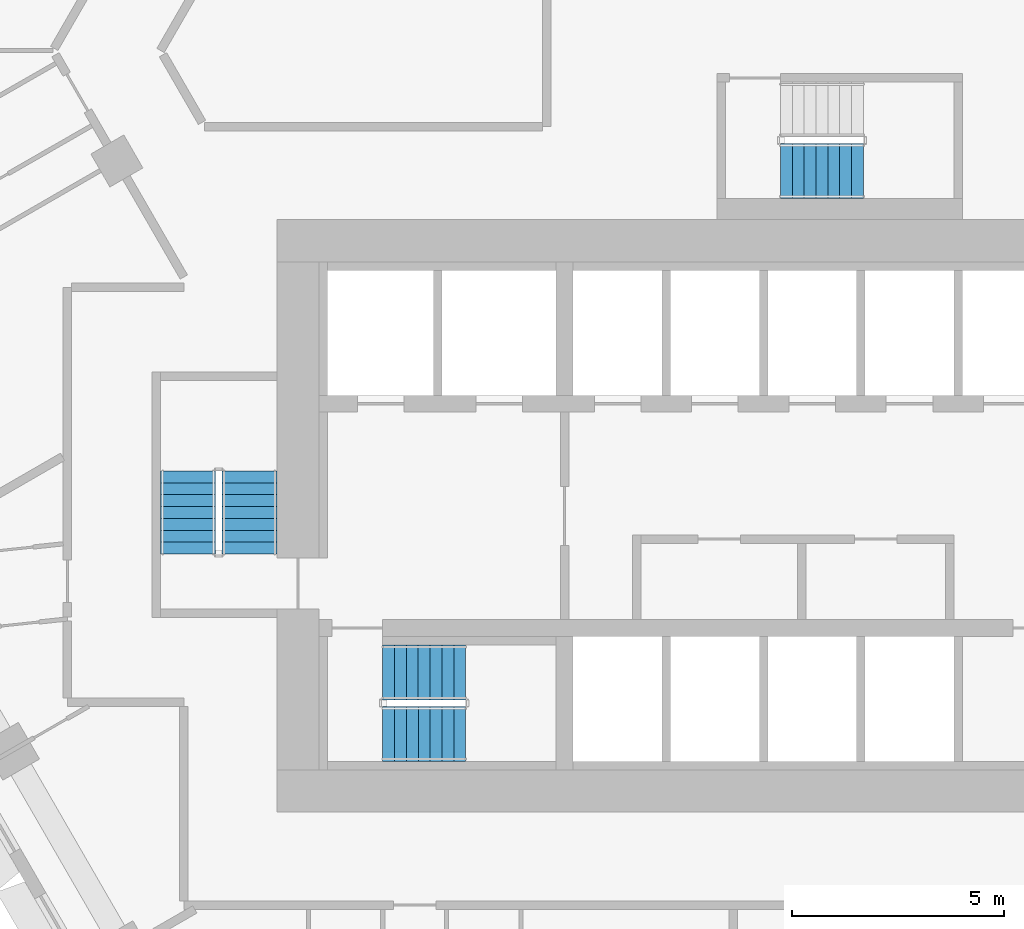
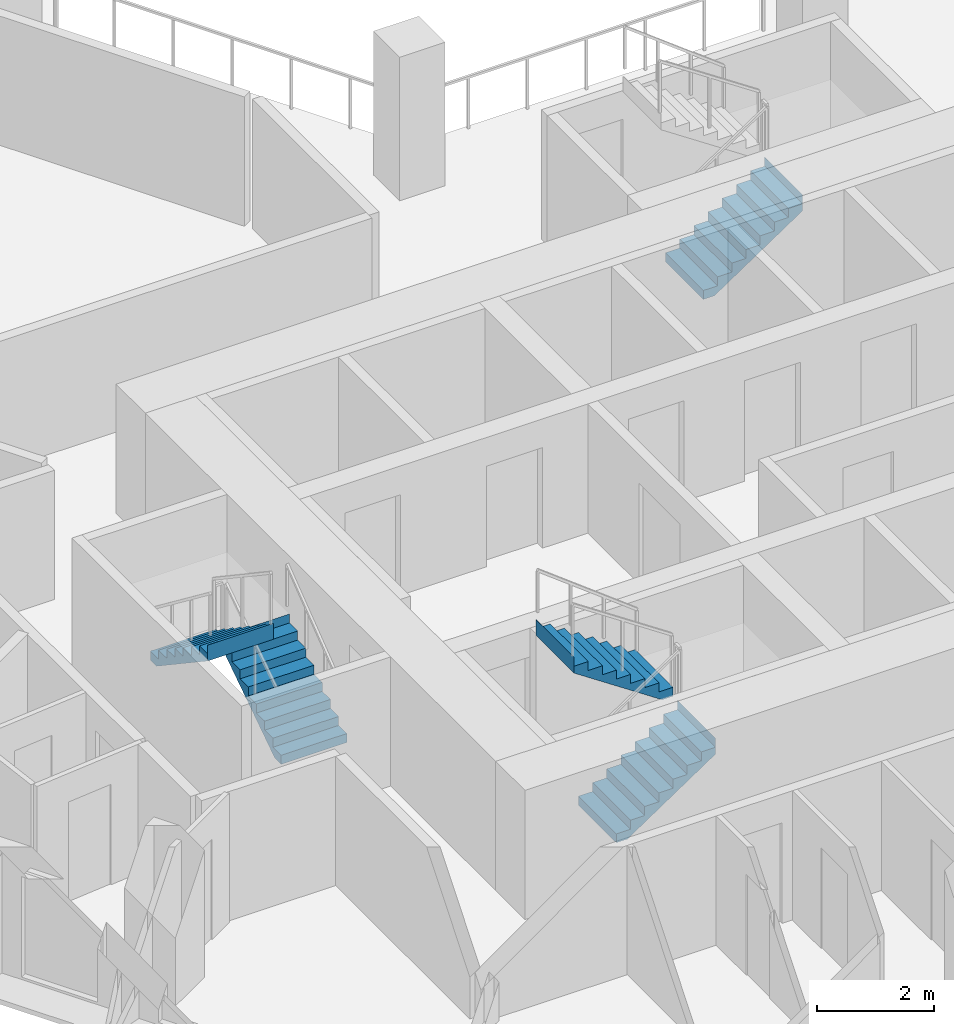
# One storey, part 13 of 18: 5 stair flights, 3 elements without a shape of their own.
"""IFC4 building model written with IfcOpenShell, lengths in metres."""

from ifc_helpers import new_model, si_unit, direction, frame, origin, place, context, subcontext, project, spatial, triangles, material, type_object, element, aggregate, save


model = new_model("IFC4")

# Units and contexts
model_context = context("Model", 3, precision=1e-05, world=origin(), true_north=direction((0.0, 1.0)))
body_context = subcontext(model_context, "Body", "Model", "MODEL_VIEW")
ifc_project = project(units=[si_unit("LENGTHUNIT", "METRE"), si_unit("AREAUNIT", "SQUARE_METRE"), si_unit("VOLUMEUNIT", "CUBIC_METRE"), si_unit("PLANEANGLEUNIT", "RADIAN"), si_unit("MASSUNIT", "GRAM", prefix="KILO")], contexts=[model_context])

# Site, building, storey
site_placement = place(None, origin())
site = spatial("IfcSite", under=ifc_project, at=site_placement, CompositionType="ELEMENT")
building_placement = place(site_placement, origin())
building = spatial("IfcBuilding", under=site, at=building_placement, Name="Beryl Residences", CompositionType="ELEMENT")
storey_placement = place(building_placement, frame((0.0, 0.0, 75.0)))
storey = spatial("IfcBuildingStorey", under=building, at=storey_placement, Name="L22", CompositionType="ELEMENT", Elevation=75.0)

# Stair, stair flights
ifc_material_1 = material(Name="Concrete C40/50", Category="concrete")
stair_type = type_object("IfcStairType", Name="ST1 protected exit stair, half-turn, 1300 mm flights", PredefinedType="HALF_TURN_STAIR", material=ifc_material_1)
stair_1_placement = place(storey_placement, origin())
stair_1 = element("IfcStair", 1, at=stair_1_placement, inside=storey, type_object=stair_type, Name="L22 PROTECTED EXIT STAIR ST-1", PredefinedType="HALF_TURN_STAIR")
ifc_material_2 = material(Name="Concrete C40/50", Category="concrete")
stair_flight_type = type_object("IfcStairFlightType", Name="SF1 stair flight 1300 mm", PredefinedType="STRAIGHT", material=ifc_material_2)
stair_flight_1_placement = place(storey_placement, frame((-10.800048828125, -17.14990234375, 0.0), z_axis=(0.0, 0.0, 1.0), x_axis=(1.0, 0.0, 0.0)))
stair_flight_1 = element("IfcStairFlight", 2, at=stair_flight_1_placement, type_object=stair_flight_type, Name="ST-1 flight 1", NumberOfRisers=8, NumberOfTreads=7, PredefinedType="STRAIGHT", RiserHeight=0.1875, TreadLength=0.28, context=body_context, shape_type="Tessellation", body=[
    triangles([(0.0, -0.64990234375, 0.0), (0.0, -0.324951171875, 0.0), (0.0, 0.0, 0.0), (0.0, 0.324951171875, 0.0), (0.0, 0.64990234375, 0.0), (0.0, -0.64990234375, 0.1875), (0.0, -0.324951171875, 0.1875), (0.0, 0.0, 0.1875), (0.0, 0.324951171875, 0.1875), (0.0, 0.64990234375, 0.1875), (0.280029296875, -0.64990234375, 0.1875), (0.280029296875, -0.324951171875, 0.1875), (0.280029296875, 0.0, 0.1875), (0.280029296875, 0.324951171875, 0.1875), (0.280029296875, 0.64990234375, 0.1875), (0.280029296875, -0.64990234375, 0.375), (0.280029296875, -0.324951171875, 0.375), (0.280029296875, 0.0, 0.375), (0.280029296875, 0.324951171875, 0.375), (0.280029296875, 0.64990234375, 0.375), (0.56005859375, -0.64990234375, 0.375), (0.56005859375, -0.324951171875, 0.375), (0.56005859375, 0.0, 0.375), (0.56005859375, 0.324951171875, 0.375), (0.56005859375, 0.64990234375, 0.375), (0.56005859375, -0.64990234375, 0.5625), (0.56005859375, -0.324951171875, 0.5625), (0.56005859375, 0.0, 0.5625), (0.56005859375, 0.324951171875, 0.5625), (0.56005859375, 0.64990234375, 0.5625), (0.840087890625, -0.64990234375, 0.5625), (0.840087890625, -0.324951171875, 0.5625), (0.840087890625, 0.0, 0.5625), (0.840087890625, 0.324951171875, 0.5625), (0.840087890625, 0.64990234375, 0.5625), (0.840087890625, -0.64990234375, 0.75), (0.840087890625, -0.324951171875, 0.75), (0.840087890625, 0.0, 0.75), (0.840087890625, 0.324951171875, 0.75), (0.840087890625, 0.64990234375, 0.75), (1.1201171875, -0.64990234375, 0.75), (1.1201171875, -0.324951171875, 0.75), (1.1201171875, 0.0, 0.75), (1.1201171875, 0.324951171875, 0.75), (1.1201171875, 0.64990234375, 0.75), (1.1201171875, -0.64990234375, 0.9375), (1.1201171875, -0.324951171875, 0.9375), (1.1201171875, 0.0, 0.9375), (1.1201171875, 0.324951171875, 0.9375), (1.1201171875, 0.64990234375, 0.9375), (1.39990234375, -0.64990234375, 0.9375), (1.39990234375, -0.324951171875, 0.9375), (1.39990234375, 0.0, 0.9375), (1.39990234375, 0.324951171875, 0.9375), (1.39990234375, 0.64990234375, 0.9375), (1.39990234375, -0.64990234375, 1.125), (1.39990234375, -0.324951171875, 1.125), (1.39990234375, 0.0, 1.125), (1.39990234375, 0.324951171875, 1.125), (1.39990234375, 0.64990234375, 1.125), (1.679931640625, -0.64990234375, 1.125), (1.679931640625, -0.324951171875, 1.125), (1.679931640625, 0.0, 1.125), (1.679931640625, 0.324951171875, 1.125), (1.679931640625, 0.64990234375, 1.125), (1.679931640625, -0.64990234375, 1.3125), (1.679931640625, -0.324951171875, 1.3125), (1.679931640625, 0.0, 1.3125), (1.679931640625, 0.324951171875, 1.3125), (1.679931640625, 0.64990234375, 1.3125), (1.9599609375, -0.64990234375, 1.3125), (1.9599609375, -0.324951171875, 1.3125), (1.9599609375, 0.0, 1.3125), (1.9599609375, 0.324951171875, 1.3125), (1.9599609375, 0.64990234375, 1.3125), (1.9599609375, -0.64990234375, 1.5), (1.9599609375, -0.324951171875, 1.5), (1.9599609375, 0.0, 1.5), (1.9599609375, 0.324951171875, 1.5), (1.9599609375, 0.64990234375, 1.5), (1.9609375, -0.64990234375, 1.5), (1.9609375, -0.324951171875, 1.5), (1.9609375, 0.0, 1.5), (1.9609375, 0.324951171875, 1.5), (1.9609375, 0.64990234375, 1.5), (1.9609375, -0.64990234375, 1.16796875), (1.9609375, -0.324951171875, 1.16796875), (1.9609375, 0.0, 1.16796875), (1.9609375, 0.324951171875, 1.16796875), (1.9609375, 0.64990234375, 1.16796875), (0.216796875, -0.64990234375, 0.0), (0.216796875, -0.324951171875, 0.0), (0.216796875, 0.0, 0.0), (0.216796875, 0.324951171875, 0.0), (0.216796875, 0.64990234375, 0.0)], [[1, 6, 7], [1, 7, 2], [2, 7, 8], [2, 8, 3], [3, 8, 9], [3, 9, 4], [4, 9, 10], [4, 10, 5], [6, 11, 12], [6, 12, 7], [7, 12, 13], [7, 13, 8], [8, 13, 14], [8, 14, 9], [9, 14, 15], [9, 15, 10], [11, 16, 17], [11, 17, 12], [12, 17, 18], [12, 18, 13], [13, 18, 19], [13, 19, 14], [14, 19, 20], [14, 20, 15], [16, 21, 22], [16, 22, 17], [17, 22, 23], [17, 23, 18], [18, 23, 24], [18, 24, 19], [19, 24, 25], [19, 25, 20], [21, 26, 27], [21, 27, 22], [22, 27, 28], [22, 28, 23], [23, 28, 29], [23, 29, 24], [24, 29, 30], [24, 30, 25], [26, 31, 32], [26, 32, 27], [27, 32, 33], [27, 33, 28], [28, 33, 34], [28, 34, 29], [29, 34, 35], [29, 35, 30], [31, 36, 37], [31, 37, 32], [32, 37, 38], [32, 38, 33], [33, 38, 39], [33, 39, 34], [34, 39, 40], [34, 40, 35], [36, 41, 42], [36, 42, 37], [37, 42, 43], [37, 43, 38], [38, 43, 44], [38, 44, 39], [39, 44, 45], [39, 45, 40], [41, 46, 47], [41, 47, 42], [42, 47, 48], [42, 48, 43], [43, 48, 49], [43, 49, 44], [44, 49, 50], [44, 50, 45], [46, 51, 52], [46, 52, 47], [47, 52, 53], [47, 53, 48], [48, 53, 54], [48, 54, 49], [49, 54, 55], [49, 55, 50], [51, 56, 57], [51, 57, 52], [52, 57, 58], [52, 58, 53], [53, 58, 59], [53, 59, 54], [54, 59, 60], [54, 60, 55], [56, 61, 62], [56, 62, 57], [57, 62, 63], [57, 63, 58], [58, 63, 64], [58, 64, 59], [59, 64, 65], [59, 65, 60], [61, 66, 67], [61, 67, 62], [62, 67, 68], [62, 68, 63], [63, 68, 69], [63, 69, 64], [64, 69, 70], [64, 70, 65], [66, 71, 72], [66, 72, 67], [67, 72, 73], [67, 73, 68], [68, 73, 74], [68, 74, 69], [69, 74, 75], [69, 75, 70], [71, 76, 77], [71, 77, 72], [72, 77, 78], [72, 78, 73], [73, 78, 79], [73, 79, 74], [74, 79, 80], [74, 80, 75], [76, 81, 82], [76, 82, 77], [77, 82, 83], [77, 83, 78], [78, 83, 84], [78, 84, 79], [79, 84, 85], [79, 85, 80], [81, 86, 87], [81, 87, 82], [82, 87, 88], [82, 88, 83], [83, 88, 89], [83, 89, 84], [84, 89, 90], [84, 90, 85], [86, 91, 92], [86, 92, 87], [87, 92, 93], [87, 93, 88], [88, 93, 94], [88, 94, 89], [89, 94, 95], [89, 95, 90], [91, 1, 2], [91, 2, 92], [92, 2, 3], [92, 3, 93], [93, 3, 4], [93, 4, 94], [94, 4, 5], [94, 5, 95], [1, 91, 86], [5, 90, 95], [86, 81, 76], [90, 80, 85], [86, 76, 71], [90, 75, 80], [86, 71, 66], [90, 70, 75], [86, 66, 61], [90, 65, 70], [61, 56, 51], [65, 55, 60], [86, 61, 51], [90, 55, 65], [51, 46, 41], [55, 45, 50], [86, 51, 41], [90, 45, 55], [41, 36, 31], [45, 35, 40], [86, 41, 31], [90, 35, 45], [31, 26, 21], [35, 25, 30], [86, 31, 21], [90, 25, 35], [21, 16, 11], [25, 15, 20], [86, 21, 11], [90, 15, 25], [1, 86, 11], [5, 15, 90], [11, 6, 1], [15, 5, 10]], closed=True),
])
stair_flight_2_placement = place(storey_placement, frame((-8.840087890625, -15.699951171875, 1.5), z_axis=(0.0, 0.0, 1.0), x_axis=(-1.0, 0.0, 0.0)))
stair_flight_2 = element("IfcStairFlight", 3, at=stair_flight_2_placement, type_object=stair_flight_type, Name="ST-1 flight 2", NumberOfRisers=8, NumberOfTreads=7, PredefinedType="STRAIGHT", RiserHeight=0.1875, TreadLength=0.28, context=body_context, shape_type="Tessellation", body=[
    triangles([(0.0, -0.64990234375, 0.0), (0.0, -0.324951171875, 0.0), (0.0, 0.0, 0.0), (0.0, 0.324951171875, 0.0), (0.0, 0.64990234375, 0.0), (0.0, -0.64990234375, 0.1875), (0.0, -0.324951171875, 0.1875), (0.0, 0.0, 0.1875), (0.0, 0.324951171875, 0.1875), (0.0, 0.64990234375, 0.1875), (0.280029296875, -0.64990234375, 0.1875), (0.280029296875, -0.324951171875, 0.1875), (0.280029296875, 0.0, 0.1875), (0.280029296875, 0.324951171875, 0.1875), (0.280029296875, 0.64990234375, 0.1875), (0.280029296875, -0.64990234375, 0.375), (0.280029296875, -0.324951171875, 0.375), (0.280029296875, 0.0, 0.375), (0.280029296875, 0.324951171875, 0.375), (0.280029296875, 0.64990234375, 0.375), (0.56005859375, -0.64990234375, 0.375), (0.56005859375, -0.324951171875, 0.375), (0.56005859375, 0.0, 0.375), (0.56005859375, 0.324951171875, 0.375), (0.56005859375, 0.64990234375, 0.375), (0.56005859375, -0.64990234375, 0.5625), (0.56005859375, -0.324951171875, 0.5625), (0.56005859375, 0.0, 0.5625), (0.56005859375, 0.324951171875, 0.5625), (0.56005859375, 0.64990234375, 0.5625), (0.840087890625, -0.64990234375, 0.5625), (0.840087890625, -0.324951171875, 0.5625), (0.840087890625, 0.0, 0.5625), (0.840087890625, 0.324951171875, 0.5625), (0.840087890625, 0.64990234375, 0.5625), (0.840087890625, -0.64990234375, 0.75), (0.840087890625, -0.324951171875, 0.75), (0.840087890625, 0.0, 0.75), (0.840087890625, 0.324951171875, 0.75), (0.840087890625, 0.64990234375, 0.75), (1.1201171875, -0.64990234375, 0.75), (1.1201171875, -0.324951171875, 0.75), (1.1201171875, 0.0, 0.75), (1.1201171875, 0.324951171875, 0.75), (1.1201171875, 0.64990234375, 0.75), (1.1201171875, -0.64990234375, 0.9375), (1.1201171875, -0.324951171875, 0.9375), (1.1201171875, 0.0, 0.9375), (1.1201171875, 0.324951171875, 0.9375), (1.1201171875, 0.64990234375, 0.9375), (1.39990234375, -0.64990234375, 0.9375), (1.39990234375, -0.324951171875, 0.9375), (1.39990234375, 0.0, 0.9375), (1.39990234375, 0.324951171875, 0.9375), (1.39990234375, 0.64990234375, 0.9375), (1.39990234375, -0.64990234375, 1.125), (1.39990234375, -0.324951171875, 1.125), (1.39990234375, 0.0, 1.125), (1.39990234375, 0.324951171875, 1.125), (1.39990234375, 0.64990234375, 1.125), (1.679931640625, -0.64990234375, 1.125), (1.679931640625, -0.324951171875, 1.125), (1.679931640625, 0.0, 1.125), (1.679931640625, 0.324951171875, 1.125), (1.679931640625, 0.64990234375, 1.125), (1.679931640625, -0.64990234375, 1.3125), (1.679931640625, -0.324951171875, 1.3125), (1.679931640625, 0.0, 1.3125), (1.679931640625, 0.324951171875, 1.3125), (1.679931640625, 0.64990234375, 1.3125), (1.9599609375, -0.64990234375, 1.3125), (1.9599609375, -0.324951171875, 1.3125), (1.9599609375, 0.0, 1.3125), (1.9599609375, 0.324951171875, 1.3125), (1.9599609375, 0.64990234375, 1.3125), (1.9599609375, -0.64990234375, 1.5), (1.9599609375, -0.324951171875, 1.5), (1.9599609375, 0.0, 1.5), (1.9599609375, 0.324951171875, 1.5), (1.9599609375, 0.64990234375, 1.5), (1.9609375, -0.64990234375, 1.5), (1.9609375, -0.324951171875, 1.5), (1.9609375, 0.0, 1.5), (1.9609375, 0.324951171875, 1.5), (1.9609375, 0.64990234375, 1.5), (1.9609375, -0.64990234375, 1.16796875), (1.9609375, -0.324951171875, 1.16796875), (1.9609375, 0.0, 1.16796875), (1.9609375, 0.324951171875, 1.16796875), (1.9609375, 0.64990234375, 1.16796875), (0.216796875, -0.64990234375, 0.0), (0.216796875, -0.324951171875, 0.0), (0.216796875, 0.0, 0.0), (0.216796875, 0.324951171875, 0.0), (0.216796875, 0.64990234375, 0.0)], [[1, 6, 7], [1, 7, 2], [2, 7, 8], [2, 8, 3], [3, 8, 9], [3, 9, 4], [4, 9, 10], [4, 10, 5], [6, 11, 12], [6, 12, 7], [7, 12, 13], [7, 13, 8], [8, 13, 14], [8, 14, 9], [9, 14, 15], [9, 15, 10], [11, 16, 17], [11, 17, 12], [12, 17, 18], [12, 18, 13], [13, 18, 19], [13, 19, 14], [14, 19, 20], [14, 20, 15], [16, 21, 22], [16, 22, 17], [17, 22, 23], [17, 23, 18], [18, 23, 24], [18, 24, 19], [19, 24, 25], [19, 25, 20], [21, 26, 27], [21, 27, 22], [22, 27, 28], [22, 28, 23], [23, 28, 29], [23, 29, 24], [24, 29, 30], [24, 30, 25], [26, 31, 32], [26, 32, 27], [27, 32, 33], [27, 33, 28], [28, 33, 34], [28, 34, 29], [29, 34, 35], [29, 35, 30], [31, 36, 37], [31, 37, 32], [32, 37, 38], [32, 38, 33], [33, 38, 39], [33, 39, 34], [34, 39, 40], [34, 40, 35], [36, 41, 42], [36, 42, 37], [37, 42, 43], [37, 43, 38], [38, 43, 44], [38, 44, 39], [39, 44, 45], [39, 45, 40], [41, 46, 47], [41, 47, 42], [42, 47, 48], [42, 48, 43], [43, 48, 49], [43, 49, 44], [44, 49, 50], [44, 50, 45], [46, 51, 52], [46, 52, 47], [47, 52, 53], [47, 53, 48], [48, 53, 54], [48, 54, 49], [49, 54, 55], [49, 55, 50], [51, 56, 57], [51, 57, 52], [52, 57, 58], [52, 58, 53], [53, 58, 59], [53, 59, 54], [54, 59, 60], [54, 60, 55], [56, 61, 62], [56, 62, 57], [57, 62, 63], [57, 63, 58], [58, 63, 64], [58, 64, 59], [59, 64, 65], [59, 65, 60], [61, 66, 67], [61, 67, 62], [62, 67, 68], [62, 68, 63], [63, 68, 69], [63, 69, 64], [64, 69, 70], [64, 70, 65], [66, 71, 72], [66, 72, 67], [67, 72, 73], [67, 73, 68], [68, 73, 74], [68, 74, 69], [69, 74, 75], [69, 75, 70], [71, 76, 77], [71, 77, 72], [72, 77, 78], [72, 78, 73], [73, 78, 79], [73, 79, 74], [74, 79, 80], [74, 80, 75], [76, 81, 82], [76, 82, 77], [77, 82, 83], [77, 83, 78], [78, 83, 84], [78, 84, 79], [79, 84, 85], [79, 85, 80], [81, 86, 87], [81, 87, 82], [82, 87, 88], [82, 88, 83], [83, 88, 89], [83, 89, 84], [84, 89, 90], [84, 90, 85], [86, 91, 92], [86, 92, 87], [87, 92, 93], [87, 93, 88], [88, 93, 94], [88, 94, 89], [89, 94, 95], [89, 95, 90], [91, 1, 2], [91, 2, 92], [92, 2, 3], [92, 3, 93], [93, 3, 4], [93, 4, 94], [94, 4, 5], [94, 5, 95], [1, 91, 86], [5, 90, 95], [86, 81, 76], [90, 80, 85], [86, 76, 71], [90, 75, 80], [86, 71, 66], [90, 70, 75], [86, 66, 61], [90, 65, 70], [61, 56, 51], [65, 55, 60], [86, 61, 51], [90, 55, 65], [51, 46, 41], [55, 45, 50], [86, 51, 41], [90, 45, 55], [41, 36, 31], [45, 35, 40], [86, 41, 31], [90, 35, 45], [31, 26, 21], [35, 25, 30], [86, 31, 21], [90, 25, 35], [21, 16, 11], [25, 15, 20], [86, 21, 11], [90, 15, 25], [1, 86, 11], [5, 15, 90], [11, 6, 1], [15, 5, 10]], closed=True),
])
aggregate(stair_1, [stair_flight_1, stair_flight_2])

stair_2_placement = place(storey_placement, origin())
stair_2 = element("IfcStair", 4, at=stair_2_placement, inside=storey, type_object=stair_type, Name="L22 PROTECTED EXIT STAIR ST-2", PredefinedType="HALF_TURN_STAIR")
stair_flight_3_placement = place(storey_placement, frame((-13.949951171875, -12.89990234375, 0.0), z_axis=(0.0, 0.0, 1.0), x_axis=(0.0, 1.0, 0.0)))
stair_flight_3 = element("IfcStairFlight", 5, at=stair_flight_3_placement, type_object=stair_flight_type, Name="ST-2 flight 1", NumberOfRisers=8, NumberOfTreads=7, PredefinedType="STRAIGHT", RiserHeight=0.1875, TreadLength=0.28, context=body_context, shape_type="Tessellation", body=[
    triangles([(0.0, -0.64990234375, 0.0), (0.0, -0.324951171875, 0.0), (0.0, 0.0, 0.0), (0.0, 0.324951171875, 0.0), (0.0, 0.64990234375, 0.0), (0.0, -0.64990234375, 0.1875), (0.0, -0.324951171875, 0.1875), (0.0, 0.0, 0.1875), (0.0, 0.324951171875, 0.1875), (0.0, 0.64990234375, 0.1875), (0.280029296875, -0.64990234375, 0.1875), (0.280029296875, -0.324951171875, 0.1875), (0.280029296875, 0.0, 0.1875), (0.280029296875, 0.324951171875, 0.1875), (0.280029296875, 0.64990234375, 0.1875), (0.280029296875, -0.64990234375, 0.375), (0.280029296875, -0.324951171875, 0.375), (0.280029296875, 0.0, 0.375), (0.280029296875, 0.324951171875, 0.375), (0.280029296875, 0.64990234375, 0.375), (0.56005859375, -0.64990234375, 0.375), (0.56005859375, -0.324951171875, 0.375), (0.56005859375, 0.0, 0.375), (0.56005859375, 0.324951171875, 0.375), (0.56005859375, 0.64990234375, 0.375), (0.56005859375, -0.64990234375, 0.5625), (0.56005859375, -0.324951171875, 0.5625), (0.56005859375, 0.0, 0.5625), (0.56005859375, 0.324951171875, 0.5625), (0.56005859375, 0.64990234375, 0.5625), (0.840087890625, -0.64990234375, 0.5625), (0.840087890625, -0.324951171875, 0.5625), (0.840087890625, 0.0, 0.5625), (0.840087890625, 0.324951171875, 0.5625), (0.840087890625, 0.64990234375, 0.5625), (0.840087890625, -0.64990234375, 0.75), (0.840087890625, -0.324951171875, 0.75), (0.840087890625, 0.0, 0.75), (0.840087890625, 0.324951171875, 0.75), (0.840087890625, 0.64990234375, 0.75), (1.1201171875, -0.64990234375, 0.75), (1.1201171875, -0.324951171875, 0.75), (1.1201171875, 0.0, 0.75), (1.1201171875, 0.324951171875, 0.75), (1.1201171875, 0.64990234375, 0.75), (1.1201171875, -0.64990234375, 0.9375), (1.1201171875, -0.324951171875, 0.9375), (1.1201171875, 0.0, 0.9375), (1.1201171875, 0.324951171875, 0.9375), (1.1201171875, 0.64990234375, 0.9375), (1.39990234375, -0.64990234375, 0.9375), (1.39990234375, -0.324951171875, 0.9375), (1.39990234375, 0.0, 0.9375), (1.39990234375, 0.324951171875, 0.9375), (1.39990234375, 0.64990234375, 0.9375), (1.39990234375, -0.64990234375, 1.125), (1.39990234375, -0.324951171875, 1.125), (1.39990234375, 0.0, 1.125), (1.39990234375, 0.324951171875, 1.125), (1.39990234375, 0.64990234375, 1.125), (1.679931640625, -0.64990234375, 1.125), (1.679931640625, -0.324951171875, 1.125), (1.679931640625, 0.0, 1.125), (1.679931640625, 0.324951171875, 1.125), (1.679931640625, 0.64990234375, 1.125), (1.679931640625, -0.64990234375, 1.3125), (1.679931640625, -0.324951171875, 1.3125), (1.679931640625, 0.0, 1.3125), (1.679931640625, 0.324951171875, 1.3125), (1.679931640625, 0.64990234375, 1.3125), (1.9599609375, -0.64990234375, 1.3125), (1.9599609375, -0.324951171875, 1.3125), (1.9599609375, 0.0, 1.3125), (1.9599609375, 0.324951171875, 1.3125), (1.9599609375, 0.64990234375, 1.3125), (1.9599609375, -0.64990234375, 1.5), (1.9599609375, -0.324951171875, 1.5), (1.9599609375, 0.0, 1.5), (1.9599609375, 0.324951171875, 1.5), (1.9599609375, 0.64990234375, 1.5), (1.9609375, -0.64990234375, 1.5), (1.9609375, -0.324951171875, 1.5), (1.9609375, 0.0, 1.5), (1.9609375, 0.324951171875, 1.5), (1.9609375, 0.64990234375, 1.5), (1.9609375, -0.64990234375, 1.16796875), (1.9609375, -0.324951171875, 1.16796875), (1.9609375, 0.0, 1.16796875), (1.9609375, 0.324951171875, 1.16796875), (1.9609375, 0.64990234375, 1.16796875), (0.216796875, -0.64990234375, 0.0), (0.216796875, -0.324951171875, 0.0), (0.216796875, 0.0, 0.0), (0.216796875, 0.324951171875, 0.0), (0.216796875, 0.64990234375, 0.0)], [[1, 6, 7], [1, 7, 2], [2, 7, 8], [2, 8, 3], [3, 8, 9], [3, 9, 4], [4, 9, 10], [4, 10, 5], [6, 11, 12], [6, 12, 7], [7, 12, 13], [7, 13, 8], [8, 13, 14], [8, 14, 9], [9, 14, 15], [9, 15, 10], [11, 16, 17], [11, 17, 12], [12, 17, 18], [12, 18, 13], [13, 18, 19], [13, 19, 14], [14, 19, 20], [14, 20, 15], [16, 21, 22], [16, 22, 17], [17, 22, 23], [17, 23, 18], [18, 23, 24], [18, 24, 19], [19, 24, 25], [19, 25, 20], [21, 26, 27], [21, 27, 22], [22, 27, 28], [22, 28, 23], [23, 28, 29], [23, 29, 24], [24, 29, 30], [24, 30, 25], [26, 31, 32], [26, 32, 27], [27, 32, 33], [27, 33, 28], [28, 33, 34], [28, 34, 29], [29, 34, 35], [29, 35, 30], [31, 36, 37], [31, 37, 32], [32, 37, 38], [32, 38, 33], [33, 38, 39], [33, 39, 34], [34, 39, 40], [34, 40, 35], [36, 41, 42], [36, 42, 37], [37, 42, 43], [37, 43, 38], [38, 43, 44], [38, 44, 39], [39, 44, 45], [39, 45, 40], [41, 46, 47], [41, 47, 42], [42, 47, 48], [42, 48, 43], [43, 48, 49], [43, 49, 44], [44, 49, 50], [44, 50, 45], [46, 51, 52], [46, 52, 47], [47, 52, 53], [47, 53, 48], [48, 53, 54], [48, 54, 49], [49, 54, 55], [49, 55, 50], [51, 56, 57], [51, 57, 52], [52, 57, 58], [52, 58, 53], [53, 58, 59], [53, 59, 54], [54, 59, 60], [54, 60, 55], [56, 61, 62], [56, 62, 57], [57, 62, 63], [57, 63, 58], [58, 63, 64], [58, 64, 59], [59, 64, 65], [59, 65, 60], [61, 66, 67], [61, 67, 62], [62, 67, 68], [62, 68, 63], [63, 68, 69], [63, 69, 64], [64, 69, 70], [64, 70, 65], [66, 71, 72], [66, 72, 67], [67, 72, 73], [67, 73, 68], [68, 73, 74], [68, 74, 69], [69, 74, 75], [69, 75, 70], [71, 76, 77], [71, 77, 72], [72, 77, 78], [72, 78, 73], [73, 78, 79], [73, 79, 74], [74, 79, 80], [74, 80, 75], [76, 81, 82], [76, 82, 77], [77, 82, 83], [77, 83, 78], [78, 83, 84], [78, 84, 79], [79, 84, 85], [79, 85, 80], [81, 86, 87], [81, 87, 82], [82, 87, 88], [82, 88, 83], [83, 88, 89], [83, 89, 84], [84, 89, 90], [84, 90, 85], [86, 91, 92], [86, 92, 87], [87, 92, 93], [87, 93, 88], [88, 93, 94], [88, 94, 89], [89, 94, 95], [89, 95, 90], [91, 1, 2], [91, 2, 92], [92, 2, 3], [92, 3, 93], [93, 3, 4], [93, 4, 94], [94, 4, 5], [94, 5, 95], [1, 91, 86], [5, 90, 95], [86, 81, 76], [90, 80, 85], [86, 76, 71], [90, 75, 80], [86, 71, 66], [90, 70, 75], [86, 66, 61], [90, 65, 70], [61, 56, 51], [65, 55, 60], [86, 61, 51], [90, 55, 65], [51, 46, 41], [55, 45, 50], [86, 51, 41], [90, 45, 55], [41, 36, 31], [45, 35, 40], [86, 41, 31], [90, 35, 45], [31, 26, 21], [35, 25, 30], [86, 31, 21], [90, 25, 35], [21, 16, 11], [25, 15, 20], [86, 21, 11], [90, 15, 25], [1, 86, 11], [5, 15, 90], [11, 6, 1], [15, 5, 10]], closed=True),
])
stair_flight_4_placement = place(storey_placement, frame((-15.39990234375, -10.93994140625, 1.5), z_axis=(0.0, 0.0, 1.0), x_axis=(0.0, -1.0, 0.0)))
stair_flight_4 = element("IfcStairFlight", 6, at=stair_flight_4_placement, type_object=stair_flight_type, Name="ST-2 flight 2", NumberOfRisers=8, NumberOfTreads=7, PredefinedType="STRAIGHT", RiserHeight=0.1875, TreadLength=0.28, context=body_context, shape_type="Tessellation", body=[
    triangles([(0.0, -0.64990234375, 0.0), (0.0, -0.324951171875, 0.0), (0.0, 0.0, 0.0), (0.0, 0.324951171875, 0.0), (0.0, 0.64990234375, 0.0), (0.0, -0.64990234375, 0.1875), (0.0, -0.324951171875, 0.1875), (0.0, 0.0, 0.1875), (0.0, 0.324951171875, 0.1875), (0.0, 0.64990234375, 0.1875), (0.280029296875, -0.64990234375, 0.1875), (0.280029296875, -0.324951171875, 0.1875), (0.280029296875, 0.0, 0.1875), (0.280029296875, 0.324951171875, 0.1875), (0.280029296875, 0.64990234375, 0.1875), (0.280029296875, -0.64990234375, 0.375), (0.280029296875, -0.324951171875, 0.375), (0.280029296875, 0.0, 0.375), (0.280029296875, 0.324951171875, 0.375), (0.280029296875, 0.64990234375, 0.375), (0.56005859375, -0.64990234375, 0.375), (0.56005859375, -0.324951171875, 0.375), (0.56005859375, 0.0, 0.375), (0.56005859375, 0.324951171875, 0.375), (0.56005859375, 0.64990234375, 0.375), (0.56005859375, -0.64990234375, 0.5625), (0.56005859375, -0.324951171875, 0.5625), (0.56005859375, 0.0, 0.5625), (0.56005859375, 0.324951171875, 0.5625), (0.56005859375, 0.64990234375, 0.5625), (0.840087890625, -0.64990234375, 0.5625), (0.840087890625, -0.324951171875, 0.5625), (0.840087890625, 0.0, 0.5625), (0.840087890625, 0.324951171875, 0.5625), (0.840087890625, 0.64990234375, 0.5625), (0.840087890625, -0.64990234375, 0.75), (0.840087890625, -0.324951171875, 0.75), (0.840087890625, 0.0, 0.75), (0.840087890625, 0.324951171875, 0.75), (0.840087890625, 0.64990234375, 0.75), (1.1201171875, -0.64990234375, 0.75), (1.1201171875, -0.324951171875, 0.75), (1.1201171875, 0.0, 0.75), (1.1201171875, 0.324951171875, 0.75), (1.1201171875, 0.64990234375, 0.75), (1.1201171875, -0.64990234375, 0.9375), (1.1201171875, -0.324951171875, 0.9375), (1.1201171875, 0.0, 0.9375), (1.1201171875, 0.324951171875, 0.9375), (1.1201171875, 0.64990234375, 0.9375), (1.39990234375, -0.64990234375, 0.9375), (1.39990234375, -0.324951171875, 0.9375), (1.39990234375, 0.0, 0.9375), (1.39990234375, 0.324951171875, 0.9375), (1.39990234375, 0.64990234375, 0.9375), (1.39990234375, -0.64990234375, 1.125), (1.39990234375, -0.324951171875, 1.125), (1.39990234375, 0.0, 1.125), (1.39990234375, 0.324951171875, 1.125), (1.39990234375, 0.64990234375, 1.125), (1.679931640625, -0.64990234375, 1.125), (1.679931640625, -0.324951171875, 1.125), (1.679931640625, 0.0, 1.125), (1.679931640625, 0.324951171875, 1.125), (1.679931640625, 0.64990234375, 1.125), (1.679931640625, -0.64990234375, 1.3125), (1.679931640625, -0.324951171875, 1.3125), (1.679931640625, 0.0, 1.3125), (1.679931640625, 0.324951171875, 1.3125), (1.679931640625, 0.64990234375, 1.3125), (1.9599609375, -0.64990234375, 1.3125), (1.9599609375, -0.324951171875, 1.3125), (1.9599609375, 0.0, 1.3125), (1.9599609375, 0.324951171875, 1.3125), (1.9599609375, 0.64990234375, 1.3125), (1.9599609375, -0.64990234375, 1.5), (1.9599609375, -0.324951171875, 1.5), (1.9599609375, 0.0, 1.5), (1.9599609375, 0.324951171875, 1.5), (1.9599609375, 0.64990234375, 1.5), (1.9609375, -0.64990234375, 1.5), (1.9609375, -0.324951171875, 1.5), (1.9609375, 0.0, 1.5), (1.9609375, 0.324951171875, 1.5), (1.9609375, 0.64990234375, 1.5), (1.9609375, -0.64990234375, 1.16796875), (1.9609375, -0.324951171875, 1.16796875), (1.9609375, 0.0, 1.16796875), (1.9609375, 0.324951171875, 1.16796875), (1.9609375, 0.64990234375, 1.16796875), (0.216796875, -0.64990234375, 0.0), (0.216796875, -0.324951171875, 0.0), (0.216796875, 0.0, 0.0), (0.216796875, 0.324951171875, 0.0), (0.216796875, 0.64990234375, 0.0)], [[1, 6, 7], [1, 7, 2], [2, 7, 8], [2, 8, 3], [3, 8, 9], [3, 9, 4], [4, 9, 10], [4, 10, 5], [6, 11, 12], [6, 12, 7], [7, 12, 13], [7, 13, 8], [8, 13, 14], [8, 14, 9], [9, 14, 15], [9, 15, 10], [11, 16, 17], [11, 17, 12], [12, 17, 18], [12, 18, 13], [13, 18, 19], [13, 19, 14], [14, 19, 20], [14, 20, 15], [16, 21, 22], [16, 22, 17], [17, 22, 23], [17, 23, 18], [18, 23, 24], [18, 24, 19], [19, 24, 25], [19, 25, 20], [21, 26, 27], [21, 27, 22], [22, 27, 28], [22, 28, 23], [23, 28, 29], [23, 29, 24], [24, 29, 30], [24, 30, 25], [26, 31, 32], [26, 32, 27], [27, 32, 33], [27, 33, 28], [28, 33, 34], [28, 34, 29], [29, 34, 35], [29, 35, 30], [31, 36, 37], [31, 37, 32], [32, 37, 38], [32, 38, 33], [33, 38, 39], [33, 39, 34], [34, 39, 40], [34, 40, 35], [36, 41, 42], [36, 42, 37], [37, 42, 43], [37, 43, 38], [38, 43, 44], [38, 44, 39], [39, 44, 45], [39, 45, 40], [41, 46, 47], [41, 47, 42], [42, 47, 48], [42, 48, 43], [43, 48, 49], [43, 49, 44], [44, 49, 50], [44, 50, 45], [46, 51, 52], [46, 52, 47], [47, 52, 53], [47, 53, 48], [48, 53, 54], [48, 54, 49], [49, 54, 55], [49, 55, 50], [51, 56, 57], [51, 57, 52], [52, 57, 58], [52, 58, 53], [53, 58, 59], [53, 59, 54], [54, 59, 60], [54, 60, 55], [56, 61, 62], [56, 62, 57], [57, 62, 63], [57, 63, 58], [58, 63, 64], [58, 64, 59], [59, 64, 65], [59, 65, 60], [61, 66, 67], [61, 67, 62], [62, 67, 68], [62, 68, 63], [63, 68, 69], [63, 69, 64], [64, 69, 70], [64, 70, 65], [66, 71, 72], [66, 72, 67], [67, 72, 73], [67, 73, 68], [68, 73, 74], [68, 74, 69], [69, 74, 75], [69, 75, 70], [71, 76, 77], [71, 77, 72], [72, 77, 78], [72, 78, 73], [73, 78, 79], [73, 79, 74], [74, 79, 80], [74, 80, 75], [76, 81, 82], [76, 82, 77], [77, 82, 83], [77, 83, 78], [78, 83, 84], [78, 84, 79], [79, 84, 85], [79, 85, 80], [81, 86, 87], [81, 87, 82], [82, 87, 88], [82, 88, 83], [83, 88, 89], [83, 89, 84], [84, 89, 90], [84, 90, 85], [86, 91, 92], [86, 92, 87], [87, 92, 93], [87, 93, 88], [88, 93, 94], [88, 94, 89], [89, 94, 95], [89, 95, 90], [91, 1, 2], [91, 2, 92], [92, 2, 3], [92, 3, 93], [93, 3, 4], [93, 4, 94], [94, 4, 5], [94, 5, 95], [1, 91, 86], [5, 90, 95], [86, 81, 76], [90, 80, 85], [86, 76, 71], [90, 75, 80], [86, 71, 66], [90, 70, 75], [86, 66, 61], [90, 65, 70], [61, 56, 51], [65, 55, 60], [86, 61, 51], [90, 55, 65], [51, 46, 41], [55, 45, 50], [86, 51, 41], [90, 45, 55], [41, 36, 31], [45, 35, 40], [86, 41, 31], [90, 35, 45], [31, 26, 21], [35, 25, 30], [86, 31, 21], [90, 25, 35], [21, 16, 11], [25, 15, 20], [86, 21, 11], [90, 15, 25], [1, 86, 11], [5, 15, 90], [11, 6, 1], [15, 5, 10]], closed=True),
])
aggregate(stair_2, [stair_flight_3, stair_flight_4])

# Stair, stair flight
stair_3_placement = place(storey_placement, origin())
stair_3 = element("IfcStair", 7, at=stair_3_placement, inside=storey, type_object=stair_type, Name="L22 PROTECTED EXIT STAIR ST-4", PredefinedType="HALF_TURN_STAIR")
stair_flight_5_placement = place(storey_placement, frame((-1.39990234375, -3.85009765625, 0.0), z_axis=(0.0, 0.0, 1.0), x_axis=(1.0, 0.0, 0.0)))
stair_flight_5 = element("IfcStairFlight", 8, at=stair_flight_5_placement, type_object=stair_flight_type, Name="ST-4 flight 1", NumberOfRisers=8, NumberOfTreads=7, PredefinedType="STRAIGHT", RiserHeight=0.1875, TreadLength=0.28, context=body_context, shape_type="Tessellation", body=[
    triangles([(0.0, -0.64990234375, 0.0), (0.0, -0.324951171875, 0.0), (0.0, 0.0, 0.0), (0.0, 0.324951171875, 0.0), (0.0, 0.64990234375, 0.0), (0.0, -0.64990234375, 0.1875), (0.0, -0.324951171875, 0.1875), (0.0, 0.0, 0.1875), (0.0, 0.324951171875, 0.1875), (0.0, 0.64990234375, 0.1875), (0.280029296875, -0.64990234375, 0.1875), (0.280029296875, -0.324951171875, 0.1875), (0.280029296875, 0.0, 0.1875), (0.280029296875, 0.324951171875, 0.1875), (0.280029296875, 0.64990234375, 0.1875), (0.280029296875, -0.64990234375, 0.375), (0.280029296875, -0.324951171875, 0.375), (0.280029296875, 0.0, 0.375), (0.280029296875, 0.324951171875, 0.375), (0.280029296875, 0.64990234375, 0.375), (0.56005859375, -0.64990234375, 0.375), (0.56005859375, -0.324951171875, 0.375), (0.56005859375, 0.0, 0.375), (0.56005859375, 0.324951171875, 0.375), (0.56005859375, 0.64990234375, 0.375), (0.56005859375, -0.64990234375, 0.5625), (0.56005859375, -0.324951171875, 0.5625), (0.56005859375, 0.0, 0.5625), (0.56005859375, 0.324951171875, 0.5625), (0.56005859375, 0.64990234375, 0.5625), (0.840087890625, -0.64990234375, 0.5625), (0.840087890625, -0.324951171875, 0.5625), (0.840087890625, 0.0, 0.5625), (0.840087890625, 0.324951171875, 0.5625), (0.840087890625, 0.64990234375, 0.5625), (0.840087890625, -0.64990234375, 0.75), (0.840087890625, -0.324951171875, 0.75), (0.840087890625, 0.0, 0.75), (0.840087890625, 0.324951171875, 0.75), (0.840087890625, 0.64990234375, 0.75), (1.1201171875, -0.64990234375, 0.75), (1.1201171875, -0.324951171875, 0.75), (1.1201171875, 0.0, 0.75), (1.1201171875, 0.324951171875, 0.75), (1.1201171875, 0.64990234375, 0.75), (1.1201171875, -0.64990234375, 0.9375), (1.1201171875, -0.324951171875, 0.9375), (1.1201171875, 0.0, 0.9375), (1.1201171875, 0.324951171875, 0.9375), (1.1201171875, 0.64990234375, 0.9375), (1.39990234375, -0.64990234375, 0.9375), (1.39990234375, -0.324951171875, 0.9375), (1.39990234375, 0.0, 0.9375), (1.39990234375, 0.324951171875, 0.9375), (1.39990234375, 0.64990234375, 0.9375), (1.39990234375, -0.64990234375, 1.125), (1.39990234375, -0.324951171875, 1.125), (1.39990234375, 0.0, 1.125), (1.39990234375, 0.324951171875, 1.125), (1.39990234375, 0.64990234375, 1.125), (1.679931640625, -0.64990234375, 1.125), (1.679931640625, -0.324951171875, 1.125), (1.679931640625, 0.0, 1.125), (1.679931640625, 0.324951171875, 1.125), (1.679931640625, 0.64990234375, 1.125), (1.679931640625, -0.64990234375, 1.3125), (1.679931640625, -0.324951171875, 1.3125), (1.679931640625, 0.0, 1.3125), (1.679931640625, 0.324951171875, 1.3125), (1.679931640625, 0.64990234375, 1.3125), (1.9599609375, -0.64990234375, 1.3125), (1.9599609375, -0.324951171875, 1.3125), (1.9599609375, 0.0, 1.3125), (1.9599609375, 0.324951171875, 1.3125), (1.9599609375, 0.64990234375, 1.3125), (1.9599609375, -0.64990234375, 1.5), (1.9599609375, -0.324951171875, 1.5), (1.9599609375, 0.0, 1.5), (1.9599609375, 0.324951171875, 1.5), (1.9599609375, 0.64990234375, 1.5), (1.9609375, -0.64990234375, 1.5), (1.9609375, -0.324951171875, 1.5), (1.9609375, 0.0, 1.5), (1.9609375, 0.324951171875, 1.5), (1.9609375, 0.64990234375, 1.5), (1.9609375, -0.64990234375, 1.16796875), (1.9609375, -0.324951171875, 1.16796875), (1.9609375, 0.0, 1.16796875), (1.9609375, 0.324951171875, 1.16796875), (1.9609375, 0.64990234375, 1.16796875), (0.216796875, -0.64990234375, 0.0), (0.216796875, -0.324951171875, 0.0), (0.216796875, 0.0, 0.0), (0.216796875, 0.324951171875, 0.0), (0.216796875, 0.64990234375, 0.0)], [[1, 6, 7], [1, 7, 2], [2, 7, 8], [2, 8, 3], [3, 8, 9], [3, 9, 4], [4, 9, 10], [4, 10, 5], [6, 11, 12], [6, 12, 7], [7, 12, 13], [7, 13, 8], [8, 13, 14], [8, 14, 9], [9, 14, 15], [9, 15, 10], [11, 16, 17], [11, 17, 12], [12, 17, 18], [12, 18, 13], [13, 18, 19], [13, 19, 14], [14, 19, 20], [14, 20, 15], [16, 21, 22], [16, 22, 17], [17, 22, 23], [17, 23, 18], [18, 23, 24], [18, 24, 19], [19, 24, 25], [19, 25, 20], [21, 26, 27], [21, 27, 22], [22, 27, 28], [22, 28, 23], [23, 28, 29], [23, 29, 24], [24, 29, 30], [24, 30, 25], [26, 31, 32], [26, 32, 27], [27, 32, 33], [27, 33, 28], [28, 33, 34], [28, 34, 29], [29, 34, 35], [29, 35, 30], [31, 36, 37], [31, 37, 32], [32, 37, 38], [32, 38, 33], [33, 38, 39], [33, 39, 34], [34, 39, 40], [34, 40, 35], [36, 41, 42], [36, 42, 37], [37, 42, 43], [37, 43, 38], [38, 43, 44], [38, 44, 39], [39, 44, 45], [39, 45, 40], [41, 46, 47], [41, 47, 42], [42, 47, 48], [42, 48, 43], [43, 48, 49], [43, 49, 44], [44, 49, 50], [44, 50, 45], [46, 51, 52], [46, 52, 47], [47, 52, 53], [47, 53, 48], [48, 53, 54], [48, 54, 49], [49, 54, 55], [49, 55, 50], [51, 56, 57], [51, 57, 52], [52, 57, 58], [52, 58, 53], [53, 58, 59], [53, 59, 54], [54, 59, 60], [54, 60, 55], [56, 61, 62], [56, 62, 57], [57, 62, 63], [57, 63, 58], [58, 63, 64], [58, 64, 59], [59, 64, 65], [59, 65, 60], [61, 66, 67], [61, 67, 62], [62, 67, 68], [62, 68, 63], [63, 68, 69], [63, 69, 64], [64, 69, 70], [64, 70, 65], [66, 71, 72], [66, 72, 67], [67, 72, 73], [67, 73, 68], [68, 73, 74], [68, 74, 69], [69, 74, 75], [69, 75, 70], [71, 76, 77], [71, 77, 72], [72, 77, 78], [72, 78, 73], [73, 78, 79], [73, 79, 74], [74, 79, 80], [74, 80, 75], [76, 81, 82], [76, 82, 77], [77, 82, 83], [77, 83, 78], [78, 83, 84], [78, 84, 79], [79, 84, 85], [79, 85, 80], [81, 86, 87], [81, 87, 82], [82, 87, 88], [82, 88, 83], [83, 88, 89], [83, 89, 84], [84, 89, 90], [84, 90, 85], [86, 91, 92], [86, 92, 87], [87, 92, 93], [87, 93, 88], [88, 93, 94], [88, 94, 89], [89, 94, 95], [89, 95, 90], [91, 1, 2], [91, 2, 92], [92, 2, 3], [92, 3, 93], [93, 3, 4], [93, 4, 94], [94, 4, 5], [94, 5, 95], [1, 91, 86], [5, 90, 95], [86, 81, 76], [90, 80, 85], [86, 76, 71], [90, 75, 80], [86, 71, 66], [90, 70, 75], [86, 66, 61], [90, 65, 70], [61, 56, 51], [65, 55, 60], [86, 61, 51], [90, 55, 65], [51, 46, 41], [55, 45, 50], [86, 51, 41], [90, 45, 55], [41, 36, 31], [45, 35, 40], [86, 41, 31], [90, 35, 45], [31, 26, 21], [35, 25, 30], [86, 31, 21], [90, 25, 35], [21, 16, 11], [25, 15, 20], [86, 21, 11], [90, 15, 25], [1, 86, 11], [5, 15, 90], [11, 6, 1], [15, 5, 10]], closed=True),
])
aggregate(stair_3, [stair_flight_5])

save(model, "model.ifc")
